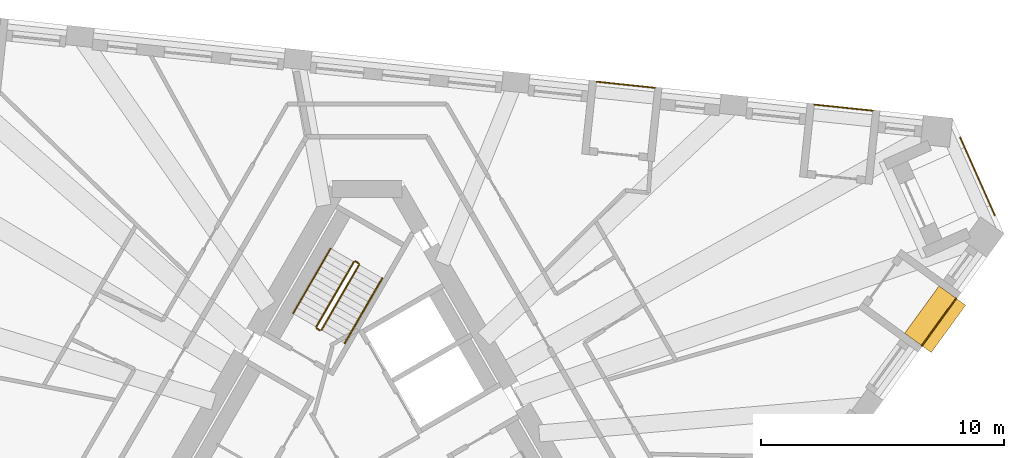
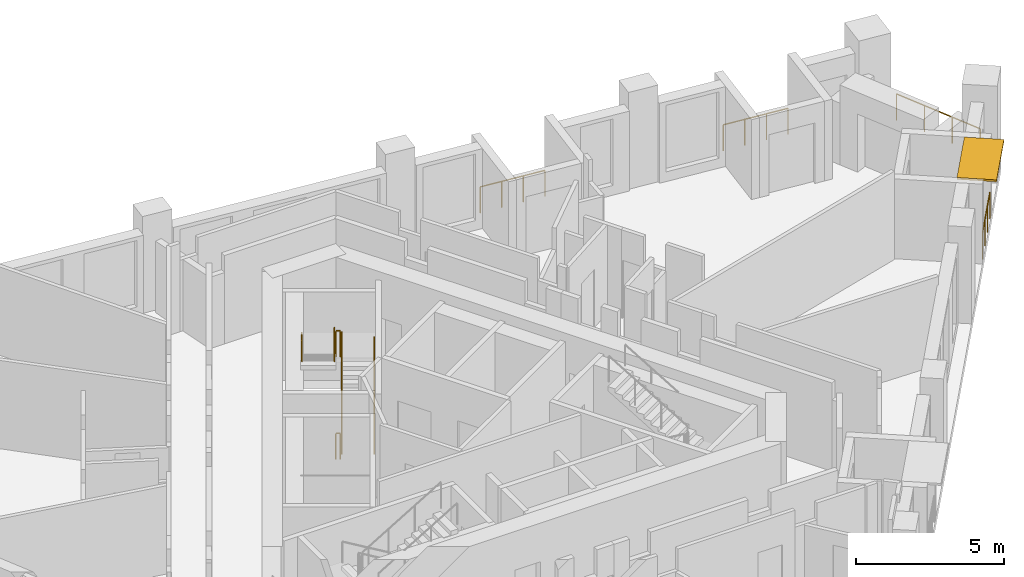
# One storey, part 11 of 11: 10 railings, 1 shading device.
"""IFC4 building model written with IfcOpenShell, lengths in metres."""

import ifcopenshell
import ifcopenshell.guid

model = None  # the IFC model being written
_history = None  # IfcOwnerHistory: only IFC2X3 demands one
_inside = {}  # id of a spatial element -> (the spatial element, [elements in it])
_under = {}  # id of a project, library or spatial element -> (it, [spatial elements below it])
_declared = {}  # id of a project -> (the project, [libraries it declares])
_typed = {}  # id of a type object -> (the type object, [elements of that type])
_made_of = {}  # id of a material, layer set ... -> (it, [elements and type objects made of it])


def new_model(schema):
    """Start an empty IFC model of exactly this schema.

    Asked for "IFC4X3", IfcOpenShell would pick the latest addendum, in which some entities
    have other attributes; the version numbers below select the first issue.
    IFC2X3 requires an IfcOwnerHistory on every rooted entity: one is made here for all.
    """
    global model, _history
    if schema == "IFC4X3":
        model = ifcopenshell.file(schema_version=(4, 3, 0, 0))
    else:
        model = ifcopenshell.file(schema=schema)
    _inside.clear()
    _under.clear()
    _declared.clear()
    _typed.clear()
    _made_of.clear()
    _history = None
    if model.schema == "IFC2X3":
        org = make("IfcOrganization", Name="unknown")
        user = make(
            "IfcPersonAndOrganization",
            ThePerson=make("IfcPerson", FamilyName="unknown"),
            TheOrganization=org,
        )
        app = make(
            "IfcApplication",
            ApplicationDeveloper=org,
            Version="unknown",
            ApplicationFullName="unknown",
            ApplicationIdentifier="unknown",
        )
        _history = make(
            "IfcOwnerHistory",
            OwningUser=user,
            OwningApplication=app,
            ChangeAction="ADDED",
            CreationDate=0,
        )
    return model


def make(cls, **values):
    """One entity of the class cls with the attributes given. An attribute that is None is left unset."""
    return model.create_entity(
        cls, **{name: value for name, value in values.items() if value is not None}
    )


def rooted(cls, **values):
    """An entity with a GlobalId (a new one), such as an element, a storey or a relation."""
    return make(cls, GlobalId=ifcopenshell.guid.new(), OwnerHistory=_history, **values)


def si_unit(unit_type, name, prefix=None):
    """IfcSIUnit, for example si_unit("LENGTHUNIT", "METRE", prefix="MILLI")."""
    return make("IfcSIUnit", UnitType=unit_type, Prefix=prefix, Name=name)


def assignment(units):
    """IfcUnitAssignment: the units of a project."""
    return None if units is None else make("IfcUnitAssignment", Units=units)


def point(xyz):
    """IfcCartesianPoint."""
    return None if xyz is None else make("IfcCartesianPoint", Coordinates=xyz)


def direction(xyz):
    """IfcDirection."""
    return None if xyz is None else make("IfcDirection", DirectionRatios=xyz)


def frame(location, z_axis=None, x_axis=None):
    """IfcAxis2Placement3D, a coordinate frame: its origin and axes. An axis left out is left unset."""
    return make(
        "IfcAxis2Placement3D",
        Location=point(location),
        Axis=direction(z_axis),
        RefDirection=direction(x_axis),
    )


def frame_2d(location, x_axis=None):
    """IfcAxis2Placement2D, a coordinate frame in the plane: its origin and x axis."""
    return make(
        "IfcAxis2Placement2D", Location=point(location), RefDirection=direction(x_axis)
    )


def origin():
    """The frame at (0, 0, 0) with its axes left unset."""
    return frame((0.0, 0.0, 0.0))


def origin_2d():
    """The frame at (0, 0) in the plane with its x axis left unset."""
    return frame_2d((0.0, 0.0))


def place(relative_to, where):
    """IfcLocalPlacement: puts the frame where relative to a parent placement (None: the world)."""
    return make(
        "IfcLocalPlacement", PlacementRelTo=relative_to, RelativePlacement=where
    )


def context(
    kind, dimensions, precision=None, world=None, true_north=None, identifier=None
):
    """IfcGeometricRepresentationContext, for example the 3D "Model" context."""
    return make(
        "IfcGeometricRepresentationContext",
        ContextIdentifier=identifier,
        ContextType=kind,
        CoordinateSpaceDimension=dimensions,
        Precision=precision,
        WorldCoordinateSystem=world,
        TrueNorth=true_north,
    )


def subcontext(parent, identifier, kind, view, scale=None):
    """IfcGeometricRepresentationSubContext, for example "Body" below "Model"."""
    return make(
        "IfcGeometricRepresentationSubContext",
        ContextIdentifier=identifier,
        ContextType=kind,
        ParentContext=parent,
        TargetScale=scale,
        TargetView=view,
    )


def project(units=None, contexts=None):
    """IfcProject with its units and contexts."""
    return rooted(
        "IfcProject",
        Name="project",
        RepresentationContexts=contexts,
        UnitsInContext=assignment(units),
    )


def spatial(cls, under=None, at=None, **own):
    """A site, building, storey or space (cls), placed at a placement, below another one or the project."""
    s = rooted(cls, ObjectPlacement=at, **own)
    if under is not None:
        _under.setdefault(under.id(), (under, []))[1].append(s)
    return s


def profile(cls, at=None, kind="AREA", **sizes):
    """A parametric profile (cls). Its sizes go by their IFC names, for example OverallWidth=200.0."""
    return make(cls, ProfileType=kind, Position=at, **sizes)


def rectangle(**sizes):
    """IfcRectangleProfileDef."""
    return profile("IfcRectangleProfileDef", **sizes)


def circle(**sizes):
    """IfcCircleProfileDef."""
    return profile("IfcCircleProfileDef", **sizes)


def extrude(swept, where, along, depth):
    """IfcExtrudedAreaSolid: the profile swept, set in the frame where, extruded along a direction by depth."""
    return make(
        "IfcExtrudedAreaSolid",
        SweptArea=swept,
        Position=where,
        ExtrudedDirection=direction(along),
        Depth=depth,
    )


def shape(context_of_items, identifier, shape_type, items):
    """IfcShapeRepresentation: the items that make up one representation, for example the "Body"."""
    return make(
        "IfcShapeRepresentation",
        ContextOfItems=context_of_items,
        RepresentationIdentifier=identifier,
        RepresentationType=shape_type,
        Items=items,
    )


def material(Name=None, Category=None):
    """IfcMaterial."""
    return make("IfcMaterial", Name=Name, Category=Category)


def layer(
    of_material, thickness, ventilated=None, Name=None, Category=None, Priority=None
):
    """IfcMaterialLayer: one layer of a wall or slab, of a material (None: an air gap)."""
    return make(
        "IfcMaterialLayer",
        Material=of_material,
        LayerThickness=thickness,
        IsVentilated=ventilated,
        Name=Name,
        Category=Category,
        Priority=Priority,
    )


def layer_set(layers, Name=None):
    """IfcMaterialLayerSet."""
    return make("IfcMaterialLayerSet", MaterialLayers=layers, LayerSetName=Name)


def made_of(thing, what):
    """Note that an element or type object is made of a material, layer set ...; save() writes the relation."""
    if what is not None:
        _made_of.setdefault(what.id(), (what, []))[1].append(thing)
    return thing


def type_object(cls, material=None, **own):
    """A type object (cls), such as IfcWallType, which elements share."""
    return made_of(rooted(cls, **own), material)


def element(
    cls,
    number,
    at=None,
    inside=None,
    cuts=None,
    type_object=None,
    material=None,
    context=None,
    identifier="Body",
    shape_type=None,
    held_by="IfcProductDefinitionShape",
    body=None,
    shapes=None,
    **own,
):
    """One element of the class cls, such as IfcWall. Its Tag is "e" and its number.

    at: its placement. inside: the storey or other place that contains it. cuts: it is an
    opening in that element (IfcRelVoidsElement). A single representation is given by context,
    identifier, shape_type and body (its items); several are given by shapes. held_by: the class
    of the entity that holds the representations. save() writes the other relations.
    """
    e = rooted(cls, Tag="e%d" % number, ObjectPlacement=at, **own)
    if body is not None:
        shapes = [shape(context, identifier, shape_type, body)]
    if shapes is not None:
        e.Representation = make(held_by, Representations=shapes)
    if inside is not None:
        _inside.setdefault(inside.id(), (inside, []))[1].append(e)
    if cuts is not None:
        rooted(
            "IfcRelVoidsElement", RelatingBuildingElement=cuts, RelatedOpeningElement=e
        )
    if type_object is not None:
        _typed.setdefault(type_object.id(), (type_object, []))[1].append(e)
    return made_of(e, material)


def aggregate(whole, parts):
    """IfcRelAggregates: a whole, such as a stair, and the parts it consists of."""
    return rooted("IfcRelAggregates", RelatingObject=whole, RelatedObjects=parts)


def save(model, path):
    """Write the relations noted so far, then the file.

    IfcRelAggregates (storeys below a building ...), IfcRelContainedInSpatialStructure (elements
    in a storey), IfcRelDefinesByType, IfcRelAssociatesMaterial and IfcRelDeclares: one each for
    every whole, place, type object, material and project.
    """
    for whole, parts in _under.values():
        aggregate(whole, parts)
    for where, things in _inside.values():
        rooted(
            "IfcRelContainedInSpatialStructure",
            RelatedElements=things,
            RelatingStructure=where,
        )
    for kind, things in _typed.values():
        rooted("IfcRelDefinesByType", RelatedObjects=things, RelatingType=kind)
    for what, things in _made_of.values():
        rooted("IfcRelAssociatesMaterial", RelatedObjects=things, RelatingMaterial=what)
    for by, libraries in _declared.values():
        rooted("IfcRelDeclares", RelatingContext=by, RelatedDefinitions=libraries)
    model.write(path)


model = new_model("IFC4")

# Units and contexts
model_context = context("Model", 3, precision=1e-05, world=origin(), true_north=direction((0.0, 1.0)))
body_context = subcontext(model_context, "Body", "Model", "MODEL_VIEW")
ifc_project = project(units=[si_unit("LENGTHUNIT", "METRE"), si_unit("AREAUNIT", "SQUARE_METRE"), si_unit("VOLUMEUNIT", "CUBIC_METRE"), si_unit("PLANEANGLEUNIT", "RADIAN"), si_unit("MASSUNIT", "GRAM", prefix="KILO")], contexts=[model_context])

# Site, building, storey
site_placement = place(None, origin())
site = spatial("IfcSite", under=ifc_project, at=site_placement, CompositionType="ELEMENT")
building_placement = place(site_placement, origin())
building = spatial("IfcBuilding", under=site, at=building_placement, Name="Tramontana Tower", CompositionType="ELEMENT")
storey_placement = place(building_placement, frame((0.0, 0.0, 253.199951171875)))
storey = spatial("IfcBuildingStorey", under=building, at=storey_placement, Name="L59", CompositionType="ELEMENT", Elevation=253.199951171875)

# Railings
ifc_material_1 = material(Name="Laminated glass balustrade", Category="glass")
railing_type_1 = type_object("IfcRailingType", Name="GD1 Loggia glass balustrade 1100", PredefinedType="BALUSTRADE", material=ifc_material_1)
railing_1_placement = place(storey_placement, frame((22.802001953125, 4.21435546875, 0.0)))
element("IfcRailing", 1, at=railing_1_placement, inside=storey, type_object=railing_type_1, Name="Loggia balustrade L59 G6S1.13", PredefinedType="BALUSTRADE", context=body_context, shape_type="SweptSolid", body=[
    extrude(circle(Radius=0.02392578125, at=origin_2d()), frame((0.0, 0.0, 1.076171875), z_axis=(0.587718396543, 0.8090655637, 0.0), x_axis=(-0.8090655637, 0.587718396543, 0.0)), (0.0, 0.0, 1.0), 2.40234375),
    extrude(circle(Radius=0.02099609375, at=origin_2d()), origin(), (0.0, 0.0, 1.0), 1.052001953125),
    extrude(circle(Radius=0.02099609375, at=origin_2d()), frame((0.470703125, 0.64794921875, 0.0)), (0.0, 0.0, 1.0), 1.052001953125),
    extrude(circle(Radius=0.02099609375, at=origin_2d()), frame((0.941162109375, 1.295654296875, 0.0)), (0.0, 0.0, 1.0), 1.052001953125),
    extrude(circle(Radius=0.02099609375, at=origin_2d()), frame((1.411865234375, 1.943603515625, 0.0)), (0.0, 0.0, 1.0), 1.052001953125),
])
for number, where, name in (
    (2, (20.778564453125, 13.8740234375, 0.0), "Loggia balustrade L59 G6S2.1"),
    (3, (11.8212890625, 14.8154296875, 0.0), "Loggia balustrade L59 G6S2.4"),
):
    element("IfcRailing", number, at=place(storey_placement, frame(where)), inside=storey, type_object=railing_type_1, Name=name, PredefinedType="BALUSTRADE", context=body_context, shape_type="SweptSolid", body=[
        extrude(circle(Radius=0.02392578125, at=origin_2d()), frame((0.0, 0.0, 1.076171875), z_axis=(-0.994517140727, 0.104573690763, 0.0), x_axis=(-0.104573690763, -0.994517140727, 0.0)), (0.0, 0.0, 1.0), 2.40234375),
        extrude(circle(Radius=0.02099609375, at=origin_2d()), origin(), (0.0, 0.0, 1.0), 1.052001953125),
        extrude(circle(Radius=0.02099609375, at=origin_2d()), frame((-0.79638671875, 0.083740234375, 0.0)), (0.0, 0.0, 1.0), 1.052001953125),
        extrude(circle(Radius=0.02099609375, at=origin_2d()), frame((-1.5927734375, 0.16748046875, 0.0)), (0.0, 0.0, 1.0), 1.052001953125),
        extrude(circle(Radius=0.02099609375, at=origin_2d()), frame((-2.38916015625, 0.251220703125, 0.0)), (0.0, 0.0, 1.0), 1.052001953125),
    ])
railing_2_placement = place(storey_placement, frame((24.38330078125, 12.771728515625, 0.0)))
element("IfcRailing", 4, at=railing_2_placement, inside=storey, type_object=railing_type_1, Name="Corner loggia balustrade L59 K62", PredefinedType="BALUSTRADE", context=body_context, shape_type="SweptSolid", body=[
    extrude(circle(Radius=0.02392578125, at=origin_2d()), frame((0.0, 0.0, 1.076171875), z_axis=(0.406753242783, -0.913538066796, 0.0), x_axis=(0.913538066796, 0.406753242783, 0.0)), (0.0, 0.0, 1.0), 3.499755859375),
    extrude(circle(Radius=0.02099609375, at=origin_2d()), origin(), (0.0, 0.0, 1.0), 1.052001953125),
    extrude(circle(Radius=0.02099609375, at=origin_2d()), frame((0.474609375, -1.065673828125, 0.0)), (0.0, 0.0, 1.0), 1.052001953125),
    extrude(circle(Radius=0.02099609375, at=origin_2d()), frame((0.948974609375, -2.131591796875, 0.0)), (0.0, 0.0, 1.0), 1.052001953125),
    extrude(circle(Radius=0.02099609375, at=origin_2d()), frame((1.423583984375, -3.197265625, 0.0)), (0.0, 0.0, 1.0), 1.052001953125),
])

# Shading device
ifc_material_2 = material(Name="Precast concrete 60 MPa", Category="concrete")
ifc_layer = layer(ifc_material_2, 0.080078125)
ifc_layer_set = layer_set([ifc_layer], Name="SS3 Stone sunshade blade 80")
shading_device_type = type_object("IfcShadingDeviceType", Name="SS3 Stone sunshade blade 80", PredefinedType="USERDEFINED", material=ifc_layer_set)
shading_device_placement = place(storey_placement, frame((23.35009765625, 5.30078125, 3.219970703125), z_axis=(0.0, 0.0, 1.0), x_axis=(0.587785252292, 0.809016994375, 0.0)))
element("IfcShadingDevice", 5, at=shading_device_placement, inside=storey, type_object=shading_device_type, Name="Sunshade L59 G6S1.13", ObjectType="SUNSHADE", PredefinedType="USERDEFINED", context=body_context, shape_type="SweptSolid", body=[
    extrude(rectangle(XDim=2.402099609375, YDim=1.35009765625, at=origin_2d()), origin(), (0.0, 0.0, 1.0), 0.080078125),
])

# Railings
ifc_material_3 = material(Name="Painted steel", Category="steel")
railing_type_2 = type_object("IfcRailingType", Name="STAIR GUARD 1100", PredefinedType="GUARDRAIL", material=ifc_material_3)
railing_3_placement = place(storey_placement, frame((-1.867431640625, 4.865478515625, 0.166748046875)))
element("IfcRailing", 6, at=railing_3_placement, inside=storey, type_object=railing_type_2, Name="L59 ST1 stair guard 1", PredefinedType="GUARDRAIL", context=body_context, shape_type="SweptSolid", body=[
    extrude(circle(Radius=0.02392578125, at=origin_2d()), frame((0.0, 0.0, 1.076171875), z_axis=(0.429649414936, 0.744189839504, 0.511451721109), x_axis=(-0.866029832698, 0.499992328818, 0.0)), (0.0, 0.0, 1.0), 3.58447265625),
    extrude(circle(Radius=0.02099609375, at=origin_2d()), origin(), (0.0, 0.0, 1.0), 1.052001953125),
    extrude(circle(Radius=0.02099609375, at=origin_2d()), frame((0.513427734375, 0.88916015625, 0.611083984375)), (0.0, 0.0, 1.0), 1.052001953125),
    extrude(circle(Radius=0.02099609375, at=origin_2d()), frame((1.026611328125, 1.7783203125, 1.22216796875)), (0.0, 0.0, 1.0), 1.052001953125),
    extrude(circle(Radius=0.02099609375, at=origin_2d()), frame((1.5400390625, 2.66748046875, 1.833251953125)), (0.0, 0.0, 1.0), 1.052001953125),
])
railing_4_placement = place(storey_placement, frame((-0.5439453125, 7.657958984375, 2.166748046875)))
element("IfcRailing", 7, at=railing_4_placement, inside=storey, type_object=railing_type_2, Name="L59 ST1 stair guard 2", PredefinedType="GUARDRAIL", context=body_context, shape_type="SweptSolid", body=[
    extrude(circle(Radius=0.02392578125, at=origin_2d()), frame((0.0, 0.0, 1.076171875), z_axis=(-0.429649414936, -0.744189839504, 0.511451721109), x_axis=(0.866029832698, -0.499992328818, 0.0)), (0.0, 0.0, 1.0), 3.58447265625),
    extrude(circle(Radius=0.02099609375, at=origin_2d()), origin(), (0.0, 0.0, 1.0), 1.052001953125),
    extrude(circle(Radius=0.02099609375, at=origin_2d()), frame((-0.513427734375, -0.88916015625, 0.611083984375)), (0.0, 0.0, 1.0), 1.052001953125),
    extrude(circle(Radius=0.02099609375, at=origin_2d()), frame((-1.026611328125, -1.7783203125, 1.22216796875)), (0.0, 0.0, 1.0), 1.052001953125),
    extrude(circle(Radius=0.02099609375, at=origin_2d()), frame((-1.5400390625, -2.66748046875, 1.833251953125)), (0.0, 0.0, 1.0), 1.052001953125),
])
railing_5_placement = place(storey_placement, frame((-0.345703125, 7.601318359375, 2.0)))
element("IfcRailing", 8, at=railing_5_placement, inside=storey, type_object=railing_type_2, Name="L59 ST1 stair guard 3", PredefinedType="GUARDRAIL", context=body_context, shape_type="SweptSolid", body=[
    extrude(circle(Radius=0.02392578125, at=origin_2d()), frame((0.0, 0.0, 1.076171875), z_axis=(-0.866131372301, 0.499816412211, 0.0), x_axis=(-0.499816412211, -0.866131372301, 0.0)), (0.0, 0.0, 1.0), 0.14990234375),
    extrude(circle(Radius=0.02099609375, at=origin_2d()), origin(), (0.0, 0.0, 1.0), 1.052001953125),
    extrude(circle(Radius=0.02099609375, at=origin_2d()), frame((-0.1298828125, 0.074951171875, 0.0)), (0.0, 0.0, 1.0), 1.052001953125),
])
railing_6_placement = place(storey_placement, frame((-1.935791015625, 4.84716796875, 0.0)))
element("IfcRailing", 9, at=railing_6_placement, inside=storey, type_object=railing_type_2, Name="L59 ST1 stair guard 4", PredefinedType="GUARDRAIL", context=body_context, shape_type="SweptSolid", body=[
    extrude(circle(Radius=0.02392578125, at=origin_2d()), frame((0.0, 0.0, 1.076171875), z_axis=(-0.865426285481, 0.501036270542, 0.0), x_axis=(-0.501036270542, -0.865426285481, 0.0)), (0.0, 0.0, 1.0), 0.150146484375),
    extrude(circle(Radius=0.02099609375, at=origin_2d()), origin(), (0.0, 0.0, 1.0), 1.052001953125),
    extrude(circle(Radius=0.02099609375, at=origin_2d()), frame((-0.1298828125, 0.0751953125, 0.0)), (0.0, 0.0, 1.0), 1.052001953125),
])
ifc_material_4 = material(Name="Painted steel", Category="steel")
railing_type_3 = type_object("IfcRailingType", Name="STAIR HANDRAIL 900", PredefinedType="HANDRAIL", material=ifc_material_4)
railing_7_placement = place(storey_placement, frame((-0.914794921875, 4.315673828125, 0.166748046875)))
element("IfcRailing", 10, at=railing_7_placement, inside=storey, type_object=railing_type_3, Name="L59 ST1 stair handrail 1", PredefinedType="HANDRAIL", context=body_context, shape_type="SweptSolid", body=[
    extrude(circle(Radius=0.02392578125, at=origin_2d()), frame((0.0, 0.0, 0.8759765625), z_axis=(0.429671193721, 0.744159446956, 0.511477646425), x_axis=(-0.866010015463, 0.500026652407, 0.0)), (0.0, 0.0, 1.0), 3.584228515625),
    extrude(circle(Radius=0.02099609375, at=origin_2d()), origin(), (0.0, 0.0, 1.0), 0.851806640625),
    extrude(circle(Radius=0.02099609375, at=origin_2d()), frame((0.513427734375, 0.88916015625, 0.611083984375)), (0.0, 0.0, 1.0), 0.851806640625),
    extrude(circle(Radius=0.02099609375, at=origin_2d()), frame((1.026611328125, 1.778076171875, 1.22216796875)), (0.0, 0.0, 1.0), 0.851806640625),
    extrude(circle(Radius=0.02099609375, at=origin_2d()), frame((1.5400390625, 2.667236328125, 1.833251953125)), (0.0, 0.0, 1.0), 0.851806640625),
])
railing_8_placement = place(storey_placement, frame((-1.49658203125, 8.2080078125, 2.166748046875)))
element("IfcRailing", 11, at=railing_8_placement, inside=storey, type_object=railing_type_3, Name="L59 ST1 stair handrail 2", PredefinedType="HANDRAIL", context=body_context, shape_type="SweptSolid", body=[
    extrude(circle(Radius=0.02392578125, at=origin_2d()), frame((0.0, 0.0, 0.8759765625), z_axis=(-0.429649414936, -0.744189839504, 0.511451721109), x_axis=(0.866029832698, -0.499992328818, 0.0)), (0.0, 0.0, 1.0), 3.58447265625),
    extrude(circle(Radius=0.02099609375, at=origin_2d()), origin(), (0.0, 0.0, 1.0), 0.851806640625),
    extrude(circle(Radius=0.02099609375, at=origin_2d()), frame((-0.513427734375, -0.88916015625, 0.611083984375)), (0.0, 0.0, 1.0), 0.851806640625),
    extrude(circle(Radius=0.02099609375, at=origin_2d()), frame((-1.026611328125, -1.7783203125, 1.22216796875)), (0.0, 0.0, 1.0), 0.851806640625),
    extrude(circle(Radius=0.02099609375, at=origin_2d()), frame((-1.5400390625, -2.66748046875, 1.833251953125)), (0.0, 0.0, 1.0), 0.851806640625),
])

save(model, "model.ifc")
